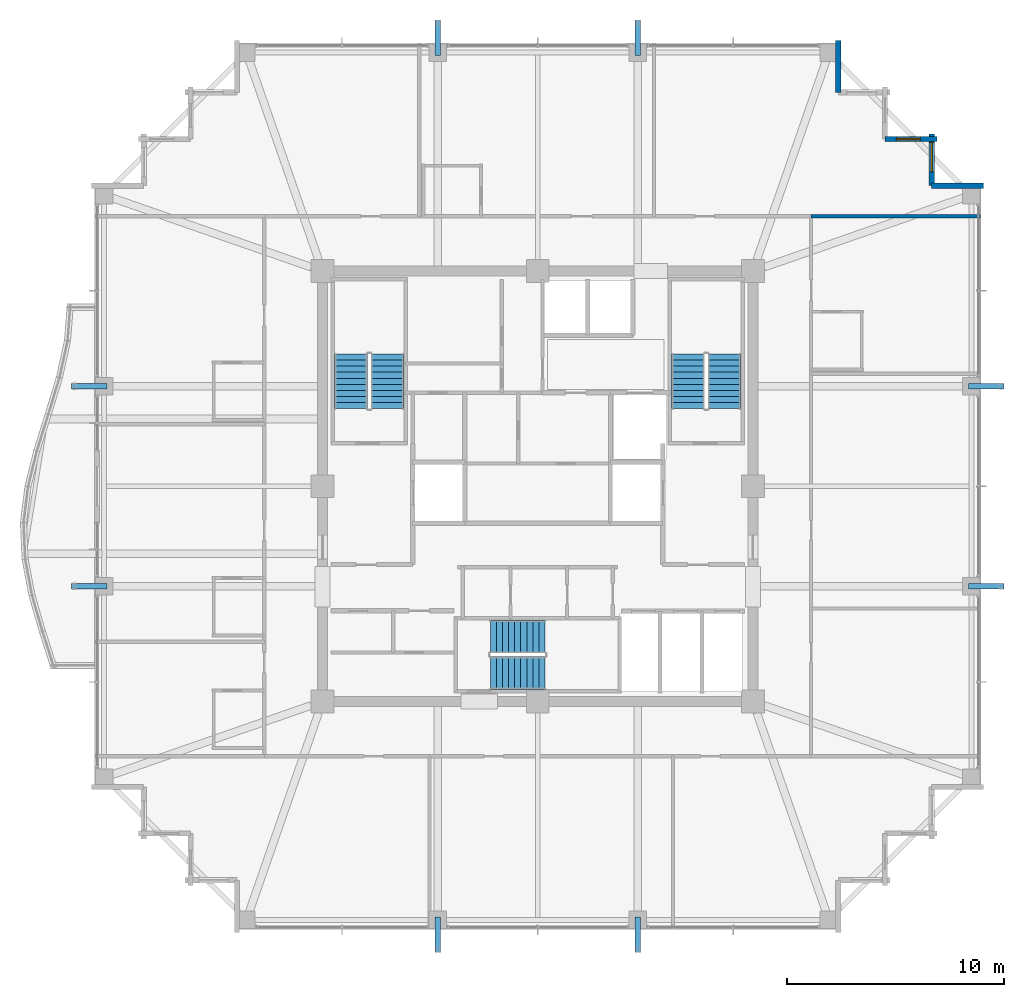
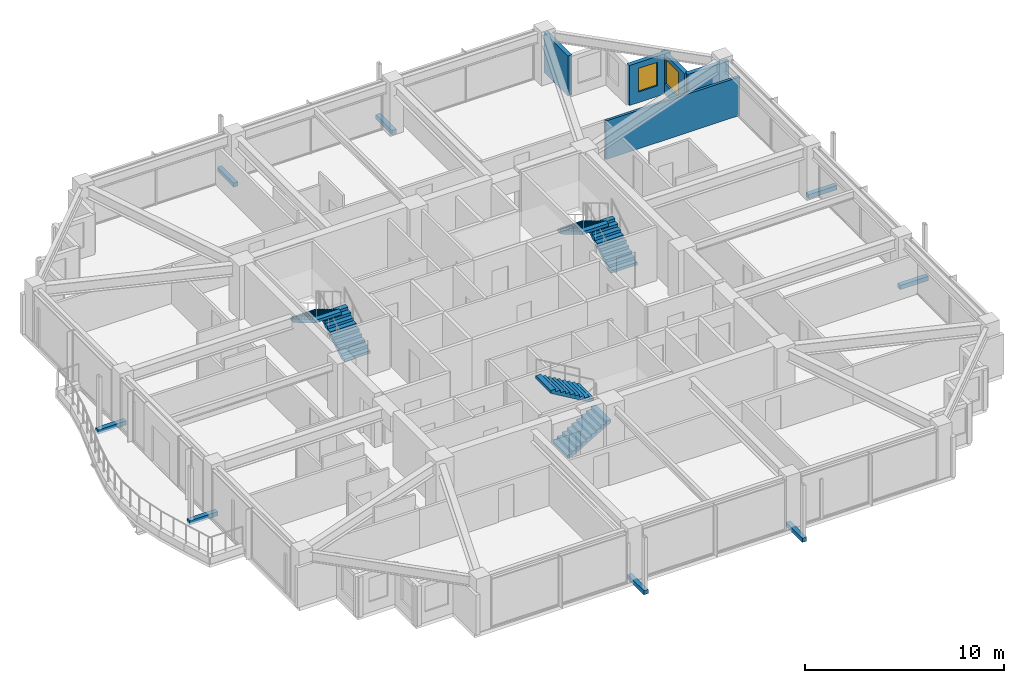
# One storey, part 31 of 33: 8 discrete accessories, 6 stair flights, 5 walls, 2 windows, 2 openings, 3 elements without a shape of their own.
"""IFC4 building model written with IfcOpenShell, lengths in metres."""

from ifc_helpers import new_model, si_unit, direction, frame, frame_2d, origin, origin_2d, place, context, subcontext, project, spatial, polyline, rectangle, outline, extrude, material, layer, layer_set, type_object, element, fill, aggregate, save


model = new_model("IFC4")

# Units and contexts
model_context = context("Model", 3, precision=1e-05, world=origin(), true_north=direction((0.0, 1.0)))
body_context = subcontext(model_context, "Body", "Model", "MODEL_VIEW")
ifc_project = project(units=[si_unit("LENGTHUNIT", "METRE"), si_unit("AREAUNIT", "SQUARE_METRE"), si_unit("VOLUMEUNIT", "CUBIC_METRE"), si_unit("PLANEANGLEUNIT", "RADIAN"), si_unit("MASSUNIT", "GRAM", prefix="KILO")], contexts=[model_context])

# Site, building, storey
site_placement = place(None, origin())
site = spatial("IfcSite", under=ifc_project, at=site_placement, CompositionType="ELEMENT")
building_placement = place(site_placement, origin())
building = spatial("IfcBuilding", under=site, at=building_placement, Name="Kolvaren Belvedere", CompositionType="ELEMENT")
storey_placement = place(building_placement, frame((0.0, 0.0, 209.699951171875)))
storey = spatial("IfcBuildingStorey", under=building, at=storey_placement, Name="L61", CompositionType="ELEMENT", Elevation=209.699951171875)

# Wall
ifc_material_1 = material(Name="Insulated pale-metal facade wall assembly", Category="aluminium")
ifc_layer_1 = layer(ifc_material_1, 0.239990234375)
ifc_layer_set_1 = layer_set([ifc_layer_1], Name="Insulated pale-metal facade wall assembly")
wall_type_1 = type_object("IfcWallType", Name="WL-EXT-240", PredefinedType="STANDARD", material=ifc_layer_set_1)
wall_1_placement = place(storey_placement, frame((18.1298828125, 13.830078125, 0.0), z_axis=(0.0, 0.0, 1.0), x_axis=(1.0, 0.0, 0.0)))
element("IfcWall", 1, at=wall_1_placement, inside=storey, type_object=wall_type_1, Name="L61 Serrated Corner Facade Wall 9", PredefinedType="STANDARD", context=body_context, shape_type="SweptSolid", body=[
    extrude(rectangle(XDim=2.39013671875, YDim=0.239990234375, at=frame_2d((1.195068359375, 0.0))), origin(), (0.0, 0.0, 1.0), 2.463134765625),
])

# Wall, opening, window
wall_2_placement = place(storey_placement, frame((18.1298828125, 16.219970703125, 0.0), z_axis=(0.0, 0.0, 1.0), x_axis=(0.0, -1.0, 0.0)))
wall_2 = element("IfcWall", 2, at=wall_2_placement, inside=storey, type_object=wall_type_1, Name="L61 Serrated Corner Facade Wall 10", PredefinedType="STANDARD", context=body_context, shape_type="SweptSolid", body=[
    extrude(rectangle(XDim=2.389892578125, YDim=0.239990234375, at=frame_2d((1.19482421875, 0.0))), origin(), (0.0, 0.0, 1.0), 2.463134765625),
])
opening_1_placement = place(wall_2_placement, frame((0.39990234375, 0.0, 0.64990234375)))
opening_1 = element("IfcOpeningElement", 3, at=opening_1_placement, cuts=wall_2, Name="Opening W-1350", PredefinedType="OPENING", context=body_context, shape_type="SweptSolid", body=[
    extrude(rectangle(XDim=1.35009765625, YDim=1.550048828125, at=frame_2d((0.675048828125, 0.77490234375))), frame((0.0, 0.1298828125, 0.0), z_axis=(0.0, -1.0, 0.0), x_axis=(1.0, 0.0, 0.0)), (0.0, 0.0, 1.0), 0.260009765625),
])
ifc_material_2 = material(Name="Low-iron triple insulated glass", Category="glass")
window_type_1 = type_object("IfcWindowType", Name="WN-CORN-1350", PartitioningType="SINGLE_PANEL", PredefinedType="WINDOW", material=ifc_material_2)
window_1_placement = place(opening_1_placement, origin())
window_1 = element("IfcWindow", 4, at=window_1_placement, inside=storey, type_object=window_type_1, Name="L61 Serrated Corner Vision Window 10", OverallHeight=1.550048828125, OverallWidth=1.35009765625, PartitioningType="SINGLE_PANEL", PredefinedType="WINDOW", context=body_context, shape_type="SweptSolid", body=[
    extrude(rectangle(XDim=1.35009765625, YDim=1.550048828125, at=frame_2d((0.675048828125, 0.77490234375))), frame((0.0, 0.030029296875, 0.0), z_axis=(0.0, -1.0, 0.0), x_axis=(1.0, 0.0, 0.0)), (0.0, 0.0, 1.0), 0.06005859375),
])
fill(opening_1, window_1)

wall_3_placement = place(storey_placement, frame((15.97998046875, 15.97998046875, 0.0), z_axis=(0.0, 0.0, 1.0), x_axis=(1.0, 0.0, 0.0)))
wall_3 = element("IfcWall", 5, at=wall_3_placement, inside=storey, type_object=wall_type_1, Name="L61 Serrated Corner Facade Wall 11", PredefinedType="STANDARD", context=body_context, shape_type="SweptSolid", body=[
    extrude(rectangle(XDim=2.39013671875, YDim=0.239990234375, at=frame_2d((1.195068359375, 0.0))), origin(), (0.0, 0.0, 1.0), 2.463134765625),
])
opening_2_placement = place(wall_3_placement, frame((0.52490234375, 0.0, 0.64990234375)))
opening_2 = element("IfcOpeningElement", 6, at=opening_2_placement, cuts=wall_3, Name="Opening W-1100", PredefinedType="OPENING", context=body_context, shape_type="SweptSolid", body=[
    extrude(rectangle(XDim=1.10009765625, YDim=1.449951171875, at=frame_2d((0.550048828125, 0.72509765625))), frame((0.0, 0.1298828125, 0.0), z_axis=(0.0, -1.0, 0.0), x_axis=(1.0, 0.0, 0.0)), (0.0, 0.0, 1.0), 0.260009765625),
])
ifc_material_3 = material(Name="Low-iron triple insulated glass", Category="glass")
window_type_2 = type_object("IfcWindowType", Name="WN-CORN-1100", PartitioningType="SINGLE_PANEL", PredefinedType="WINDOW", material=ifc_material_3)
window_2_placement = place(opening_2_placement, origin())
window_2 = element("IfcWindow", 7, at=window_2_placement, inside=storey, type_object=window_type_2, Name="L61 Serrated Corner Vision Window 11", OverallHeight=1.449951171875, OverallWidth=1.10009765625, PartitioningType="SINGLE_PANEL", PredefinedType="WINDOW", context=body_context, shape_type="SweptSolid", body=[
    extrude(rectangle(XDim=1.10009765625, YDim=1.449951171875, at=frame_2d((0.550048828125, 0.72509765625))), frame((0.0, 0.030029296875, 0.0), z_axis=(0.0, -1.0, 0.0), x_axis=(1.0, 0.0, 0.0)), (0.0, 0.0, 1.0), 0.06005859375),
])
fill(opening_2, window_2)

# Walls
wall_4_placement = place(storey_placement, frame((13.830078125, 20.52001953125, 0.0), z_axis=(0.0, 0.0, 1.0), x_axis=(0.0, -1.0, 0.0)))
element("IfcWall", 8, at=wall_4_placement, inside=storey, type_object=wall_type_1, Name="L61 Serrated Corner Facade Wall 14", PredefinedType="STANDARD", context=body_context, shape_type="SweptSolid", body=[
    extrude(rectangle(XDim=2.39013671875, YDim=0.239990234375, at=frame_2d((1.195068359375, 0.0))), origin(), (0.0, 0.0, 1.0), 2.463134765625),
])
ifc_material_4 = material(Name="Gypsum acoustic partition assembly", Category="gypsum")
ifc_layer_2 = layer(ifc_material_4, 0.14990234375)
ifc_layer_set_2 = layer_set([ifc_layer_2], Name="Gypsum acoustic partition assembly")
wall_type_2 = type_object("IfcWallType", Name="WL-PART-150", PredefinedType="PARTITIONING", material=ifc_layer_set_2)
wall_5_placement = place(storey_placement, frame((12.580078125, 12.419921875, 0.0), z_axis=(0.0, 0.0, 1.0), x_axis=(1.0, 0.0, 0.0)))
element("IfcWall", 9, at=wall_5_placement, inside=storey, type_object=wall_type_2, Name="L61 Wing Divider PW-L61-QNE", PredefinedType="PARTITIONING", context=body_context, shape_type="SweptSolid", body=[
    extrude(rectangle(XDim=7.7998046875, YDim=0.14990234375, at=frame_2d((3.89990234375, 0.0))), origin(), (0.0, 0.0, 1.0), 2.369140625),
])

# Stair, stair flights
ifc_material_5 = material(Name="Concrete C50/60", Category="concrete")
stair_type = type_object("IfcStairType", Name="ST-CORE-1520", PredefinedType="HALF_TURN_STAIR", material=ifc_material_5)
stair_1_placement = place(storey_placement, origin())
stair_1 = element("IfcStair", 10, at=stair_1_placement, inside=storey, type_object=stair_type, Name="L61 Protected Exit Stair ST-1", PredefinedType="HALF_TURN_STAIR")
ifc_material_6 = material(Name="Concrete C50/60", Category="concrete")
stair_flight_type = type_object("IfcStairFlightType", Name="SF-STR-1520", PredefinedType="STRAIGHT", material=ifc_material_6)
stair_flight_1_placement = place(storey_placement, frame((-6.919921875, 3.570068359375, 0.0), z_axis=(0.0, 0.0, 1.0), x_axis=(0.0, 1.0, 0.0)))
stair_flight_1 = element("IfcStairFlight", 11, at=stair_flight_1_placement, type_object=stair_flight_type, Name="ST-1 flight 1", NumberOfRisers=10, NumberOfTreads=9, PredefinedType="STRAIGHT", RiserHeight=0.165, TreadLength=0.28, context=body_context, shape_type="SweptSolid", body=[
    extrude(outline(polyline([(0.0, 0.0), (0.0, 0.1650390625), (0.280029296875, 0.1650390625), (0.280029296875, 0.330078125), (0.56005859375, 0.330078125), (0.56005859375, 0.4951171875), (0.840087890625, 0.4951171875), (0.840087890625, 0.659912109375), (1.1201171875, 0.659912109375), (1.1201171875, 0.824951171875), (1.39990234375, 0.824951171875), (1.39990234375, 0.989990234375), (1.679931640625, 0.989990234375), (1.679931640625, 1.155029296875), (1.9599609375, 1.155029296875), (1.9599609375, 1.320068359375), (2.239990234375, 1.320068359375), (2.239990234375, 1.485107421875), (2.52001953125, 1.485107421875), (2.52001953125, 1.64990234375), (2.52001953125, 1.31103515625), (0.295166015625, 0.0), (0.0, 0.0)])), frame((0.0, 0.760009765625, 0.0), z_axis=(0.0, -1.0, 0.0), x_axis=(1.0, 0.0, 0.0)), (0.0, 0.0, 1.0), 1.52001953125),
])
stair_flight_2_placement = place(storey_placement, frame((-8.590087890625, 6.090087890625, 1.650146484375), z_axis=(0.0, 0.0, 1.0), x_axis=(0.0, -1.0, 0.0)))
stair_flight_2 = element("IfcStairFlight", 12, at=stair_flight_2_placement, type_object=stair_flight_type, Name="ST-1 flight 2", NumberOfRisers=10, NumberOfTreads=9, PredefinedType="STRAIGHT", RiserHeight=0.165, TreadLength=0.28, context=body_context, shape_type="SweptSolid", body=[
    extrude(outline(polyline([(0.0, 0.0), (0.0, 0.1650390625), (0.280029296875, 0.1650390625), (0.280029296875, 0.330078125), (0.56005859375, 0.330078125), (0.56005859375, 0.4951171875), (0.840087890625, 0.4951171875), (0.840087890625, 0.659912109375), (1.1201171875, 0.659912109375), (1.1201171875, 0.824951171875), (1.39990234375, 0.824951171875), (1.39990234375, 0.989990234375), (1.679931640625, 0.989990234375), (1.679931640625, 1.155029296875), (1.9599609375, 1.155029296875), (1.9599609375, 1.320068359375), (2.239990234375, 1.320068359375), (2.239990234375, 1.485107421875), (2.52001953125, 1.485107421875), (2.52001953125, 1.64990234375), (2.52001953125, 1.31103515625), (0.295166015625, 0.0), (0.0, 0.0)])), frame((0.0, 0.760009765625, 0.0), z_axis=(0.0, -1.0, 0.0), x_axis=(1.0, 0.0, 0.0)), (0.0, 0.0, 1.0), 1.52001953125),
])
aggregate(stair_1, [stair_flight_1, stair_flight_2])

stair_2_placement = place(storey_placement, origin())
stair_2 = element("IfcStair", 13, at=stair_2_placement, inside=storey, type_object=stair_type, Name="L61 Protected Exit Stair ST-2", PredefinedType="HALF_TURN_STAIR")
stair_flight_3_placement = place(storey_placement, frame((8.590087890625, 3.570068359375, 0.0), z_axis=(0.0, 0.0, 1.0), x_axis=(0.0, 1.0, 0.0)))
stair_flight_3 = element("IfcStairFlight", 14, at=stair_flight_3_placement, type_object=stair_flight_type, Name="ST-2 flight 1", NumberOfRisers=10, NumberOfTreads=9, PredefinedType="STRAIGHT", RiserHeight=0.165, TreadLength=0.28, context=body_context, shape_type="SweptSolid", body=[
    extrude(outline(polyline([(0.0, 0.0), (0.0, 0.1650390625), (0.280029296875, 0.1650390625), (0.280029296875, 0.330078125), (0.56005859375, 0.330078125), (0.56005859375, 0.4951171875), (0.840087890625, 0.4951171875), (0.840087890625, 0.659912109375), (1.1201171875, 0.659912109375), (1.1201171875, 0.824951171875), (1.39990234375, 0.824951171875), (1.39990234375, 0.989990234375), (1.679931640625, 0.989990234375), (1.679931640625, 1.155029296875), (1.9599609375, 1.155029296875), (1.9599609375, 1.320068359375), (2.239990234375, 1.320068359375), (2.239990234375, 1.485107421875), (2.52001953125, 1.485107421875), (2.52001953125, 1.64990234375), (2.52001953125, 1.31103515625), (0.295166015625, 0.0), (0.0, 0.0)])), frame((0.0, 0.760009765625, 0.0), z_axis=(0.0, -1.0, 0.0), x_axis=(1.0, 0.0, 0.0)), (0.0, 0.0, 1.0), 1.52001953125),
])
stair_flight_4_placement = place(storey_placement, frame((6.919921875, 6.090087890625, 1.650146484375), z_axis=(0.0, 0.0, 1.0), x_axis=(0.0, -1.0, 0.0)))
stair_flight_4 = element("IfcStairFlight", 15, at=stair_flight_4_placement, type_object=stair_flight_type, Name="ST-2 flight 2", NumberOfRisers=10, NumberOfTreads=9, PredefinedType="STRAIGHT", RiserHeight=0.165, TreadLength=0.28, context=body_context, shape_type="SweptSolid", body=[
    extrude(outline(polyline([(0.0, 0.0), (0.0, 0.1650390625), (0.280029296875, 0.1650390625), (0.280029296875, 0.330078125), (0.56005859375, 0.330078125), (0.56005859375, 0.4951171875), (0.840087890625, 0.4951171875), (0.840087890625, 0.659912109375), (1.1201171875, 0.659912109375), (1.1201171875, 0.824951171875), (1.39990234375, 0.824951171875), (1.39990234375, 0.989990234375), (1.679931640625, 0.989990234375), (1.679931640625, 1.155029296875), (1.9599609375, 1.155029296875), (1.9599609375, 1.320068359375), (2.239990234375, 1.320068359375), (2.239990234375, 1.485107421875), (2.52001953125, 1.485107421875), (2.52001953125, 1.64990234375), (2.52001953125, 1.31103515625), (0.295166015625, 0.0), (0.0, 0.0)])), frame((0.0, 0.760009765625, 0.0), z_axis=(0.0, -1.0, 0.0), x_axis=(1.0, 0.0, 0.0)), (0.0, 0.0, 1.0), 1.52001953125),
])
aggregate(stair_2, [stair_flight_3, stair_flight_4])

stair_3_placement = place(storey_placement, origin())
stair_3 = element("IfcStair", 16, at=stair_3_placement, inside=storey, type_object=stair_type, Name="L61 Protected Exit Stair ST-3", PredefinedType="HALF_TURN_STAIR")
stair_flight_5_placement = place(storey_placement, frame((-2.179931640625, -8.590087890625, 0.0), z_axis=(0.0, 0.0, 1.0), x_axis=(1.0, 0.0, 0.0)))
stair_flight_5 = element("IfcStairFlight", 17, at=stair_flight_5_placement, type_object=stair_flight_type, Name="ST-3 flight 1", NumberOfRisers=10, NumberOfTreads=9, PredefinedType="STRAIGHT", RiserHeight=0.165, TreadLength=0.28, context=body_context, shape_type="SweptSolid", body=[
    extrude(outline(polyline([(0.0, 0.0), (0.0, 0.1650390625), (0.280029296875, 0.1650390625), (0.280029296875, 0.330078125), (0.56005859375, 0.330078125), (0.56005859375, 0.4951171875), (0.840087890625, 0.4951171875), (0.840087890625, 0.659912109375), (1.1201171875, 0.659912109375), (1.1201171875, 0.824951171875), (1.39990234375, 0.824951171875), (1.39990234375, 0.989990234375), (1.679931640625, 0.989990234375), (1.679931640625, 1.155029296875), (1.9599609375, 1.155029296875), (1.9599609375, 1.320068359375), (2.239990234375, 1.320068359375), (2.239990234375, 1.485107421875), (2.52001953125, 1.485107421875), (2.52001953125, 1.64990234375), (2.52001953125, 1.31103515625), (0.295166015625, 0.0), (0.0, 0.0)])), frame((0.0, 0.760009765625, 0.0), z_axis=(0.0, -1.0, 0.0), x_axis=(1.0, 0.0, 0.0)), (0.0, 0.0, 1.0), 1.52001953125),
])
stair_flight_6_placement = place(storey_placement, frame((0.340087890625, -6.919921875, 1.650146484375), z_axis=(0.0, 0.0, 1.0), x_axis=(-1.0, 0.0, 0.0)))
stair_flight_6 = element("IfcStairFlight", 18, at=stair_flight_6_placement, type_object=stair_flight_type, Name="ST-3 flight 2", NumberOfRisers=10, NumberOfTreads=9, PredefinedType="STRAIGHT", RiserHeight=0.165, TreadLength=0.28, context=body_context, shape_type="SweptSolid", body=[
    extrude(outline(polyline([(0.0, 0.0), (0.0, 0.1650390625), (0.280029296875, 0.1650390625), (0.280029296875, 0.330078125), (0.56005859375, 0.330078125), (0.56005859375, 0.4951171875), (0.840087890625, 0.4951171875), (0.840087890625, 0.659912109375), (1.1201171875, 0.659912109375), (1.1201171875, 0.824951171875), (1.39990234375, 0.824951171875), (1.39990234375, 0.989990234375), (1.679931640625, 0.989990234375), (1.679931640625, 1.155029296875), (1.9599609375, 1.155029296875), (1.9599609375, 1.320068359375), (2.239990234375, 1.320068359375), (2.239990234375, 1.485107421875), (2.52001953125, 1.485107421875), (2.52001953125, 1.64990234375), (2.52001953125, 1.31103515625), (0.295166015625, 0.0), (0.0, 0.0)])), frame((0.0, 0.760009765625, 0.0), z_axis=(0.0, -1.0, 0.0), x_axis=(1.0, 0.0, 0.0)), (0.0, 0.0, 1.0), 1.52001953125),
])
aggregate(stair_3, [stair_flight_5, stair_flight_6])

# Discrete accessories
ifc_material_7 = material(Name="Structural steel ASTM A572 Grade 50", Category="steel")
discrete_accessory_type = type_object("IfcDiscreteAccessoryType", Name="BRK-1 Steel Facade Support Bracket", PredefinedType="BRACKET", material=ifc_material_7)
for number, where, z_axis, x_axis, name in (
    (19, (-4.60009765625, 20.635009765625, -0.169921875), (0.0, 0.0, 1.0), (0.0, 1.0, 0.0), "L61 Picture-Frame Outrigger Cleat Bracket N1"),
    (20, (4.60009765625, 20.635009765625, -0.169921875), (0.0, 0.0, 1.0), (0.0, 1.0, 0.0), "L61 Picture-Frame Outrigger Cleat Bracket N2"),
    (21, (4.60009765625, -20.635009765625, -0.169921875), (0.0, 0.0, 1.0), (0.0, 1.0, 0.0), "L61 Picture-Frame Outrigger Cleat Bracket S1"),
    (22, (-4.60009765625, -20.635009765625, -0.169921875), (0.0, 0.0, 1.0), (0.0, 1.0, 0.0), "L61 Picture-Frame Outrigger Cleat Bracket S2"),
    (23, (20.635009765625, 4.60009765625, -0.169921875), (0.0, 0.0, 1.0), (1.0, 0.0, 0.0), "L61 Picture-Frame Outrigger Cleat Bracket E1"),
    (24, (20.635009765625, -4.60009765625, -0.169921875), (0.0, 0.0, 1.0), (1.0, 0.0, 0.0), "L61 Picture-Frame Outrigger Cleat Bracket E2"),
    (25, (-20.635009765625, -4.60009765625, -0.169921875), (0.0, 0.0, 1.0), (1.0, 0.0, 0.0), "L61 Picture-Frame Outrigger Cleat Bracket W1"),
    (26, (-20.635009765625, 4.60009765625, -0.169921875), (0.0, 0.0, 1.0), (1.0, 0.0, 0.0), "L61 Picture-Frame Outrigger Cleat Bracket W2"),
):
    element("IfcDiscreteAccessory", number, at=place(storey_placement, frame(where, z_axis=z_axis, x_axis=x_axis)), inside=storey, type_object=discrete_accessory_type, Name=name, PredefinedType="BRACKET", context=body_context, shape_type="SweptSolid", body=[
        extrude(rectangle(XDim=1.639892578125, YDim=0.260009765625, at=origin_2d()), origin(), (0.0, 0.0, 1.0), 0.260009765625),
    ])

save(model, "model.ifc")
